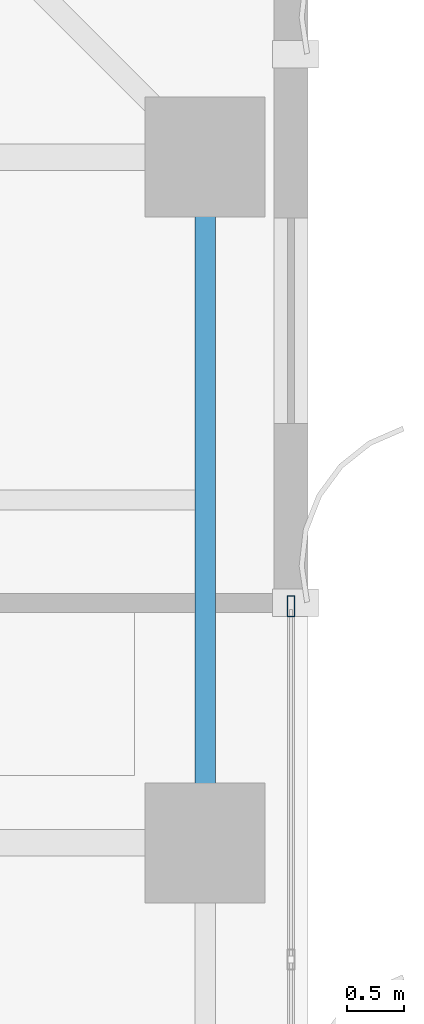
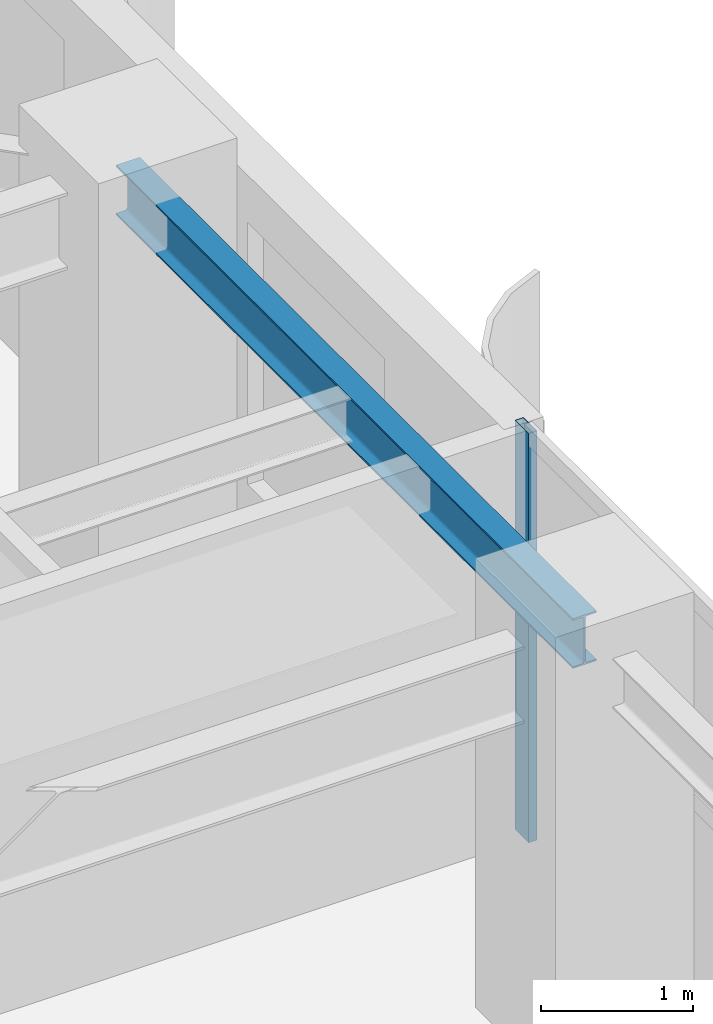
# One storey, part 20 of 28: 1 beam, 1 member, 1 element without a shape of its own.
"""IFC4 building model written with IfcOpenShell, lengths in metres."""

from ifc_helpers import new_model, si_unit, direction, frame, origin, origin_2d, place, context, subcontext, project, spatial, hollow_rectangle, i_section, extrude, source, transform, mapped, material, layer, layer_set, material_profile, profile_set, type_object, element, aggregate, save


model = new_model("IFC4")

# Units and contexts
model_context = context("Model", 3, precision=1e-05, world=origin(), true_north=direction((0.0, 1.0)))
body_context = subcontext(model_context, "Body", "Model", "MODEL_VIEW")
ifc_project = project(units=[si_unit("LENGTHUNIT", "METRE"), si_unit("AREAUNIT", "SQUARE_METRE"), si_unit("VOLUMEUNIT", "CUBIC_METRE"), si_unit("PLANEANGLEUNIT", "RADIAN"), si_unit("MASSUNIT", "GRAM", prefix="KILO")], contexts=[model_context])

# Site, building, storey
site_placement = place(None, origin())
site = spatial("IfcSite", under=ifc_project, at=site_placement, CompositionType="ELEMENT")
building_placement = place(site_placement, origin())
building = spatial("IfcBuilding", under=site, at=building_placement, Name="Khoralis Quay Care Tower", CompositionType="ELEMENT")
storey_placement = place(building_placement, frame((0.0, 0.0, 144.89990234375)))
storey = spatial("IfcBuildingStorey", under=building, at=storey_placement, Name="L38", CompositionType="ELEMENT", Elevation=144.89990234375)

# Beam
ifc_material_1 = material(Name="Steel S355", Category="steel")
ifc_material_profile_1 = material_profile(ifc_material_1, i_section(OverallWidth=0.179931640625, OverallDepth=0.39990234375, WebThickness=0.008544921875, FlangeThickness=0.013427734375, FilletRadius=0.02099609375, at=origin_2d()), Name="Steel S355")
ifc_profile_set_1 = profile_set([ifc_material_profile_1], Name="Steel S355")
beam_type = type_object("IfcBeamType", Name="BM-IPE400", PredefinedType="SPANDREL", material=ifc_profile_set_1)
shared_shape_1 = source(origin(), body_context, "Body", "SweptSolid", [
    extrude(i_section(OverallWidth=0.179931640625, OverallDepth=0.39990234375, WebThickness=0.008544921875, FlangeThickness=0.013427734375, FilletRadius=0.02099609375, at=origin_2d()), origin(), (0.0, 0.0, 1.0), 6.0),
])
beam_placement = place(storey_placement, frame((44.10009765625, 30.0, 3.080078125), z_axis=(0.0, 1.0, 0.0), x_axis=(-1.0, 0.0, 0.0)))
element("IfcBeam", 1, at=beam_placement, inside=storey, type_object=beam_type, Name="BM-TSP-L38-20", PredefinedType="SPANDREL", context=body_context, shape_type="MappedRepresentation", body=[
    mapped(shared_shape_1, transform((0.0, 0.0, 0.0), scale=1.0)),
])

# Curtain wall, member
ifc_material_2 = material(Name="Pale anodised aluminium", Category="aluminium")
ifc_layer = layer(ifc_material_2, 0.169921875)
ifc_layer_set = layer_set([ifc_layer], Name="Pale anodised aluminium")
curtain_wall_type = type_object("IfcCurtainWallType", Name="CW-SYS-Z2", PredefinedType="NOTDEFINED", material=ifc_layer_set)
curtain_wall_placement = place(storey_placement, origin())
curtain_wall = element("IfcCurtainWall", 2, at=curtain_wall_placement, inside=storey, type_object=curtain_wall_type, Name="L38 Unitised Curtain Wall CW-L38-P1-E5", PredefinedType="NOTDEFINED")
ifc_material_profile_2 = material_profile(ifc_material_2, hollow_rectangle(XDim=0.06494140625, YDim=0.179931640625, WallThickness=0.00390625, at=origin_2d()), Name="Pale anodised aluminium")
ifc_profile_set_2 = profile_set([ifc_material_profile_2], Name="Pale anodised aluminium")
member_type = type_object("IfcMemberType", Name="CW-MUL-180", PredefinedType="MULLION", material=ifc_profile_set_2)
shared_shape_2 = source(origin(), body_context, "Body", "SweptSolid", [
    extrude(hollow_rectangle(XDim=0.06494140625, YDim=0.179931640625, WallThickness=0.00390625, at=origin_2d()), origin(), (0.0, 0.0, 1.0), 3.280029296875),
])
member_placement = place(storey_placement, frame((44.85009765625, 32.070068359375, 0.0), z_axis=(0.0, 0.0, 1.0), x_axis=(-1.0, 0.0, 0.0)))
member = element("IfcMember", 3, at=member_placement, type_object=member_type, Name="CW2 mullion 6", PredefinedType="MULLION", context=body_context, shape_type="MappedRepresentation", body=[
    mapped(shared_shape_2, transform((0.0, 0.0, 0.0), scale=1.0)),
])
aggregate(curtain_wall, [member])

save(model, "model.ifc")
